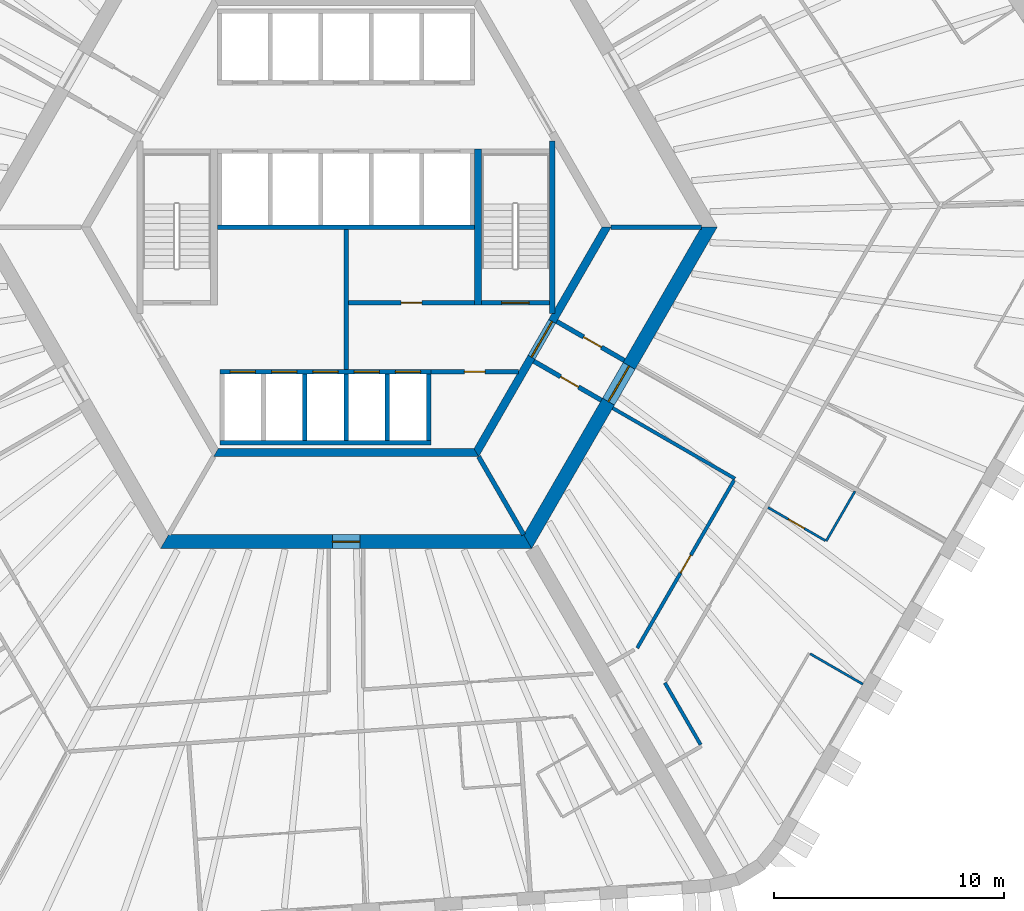
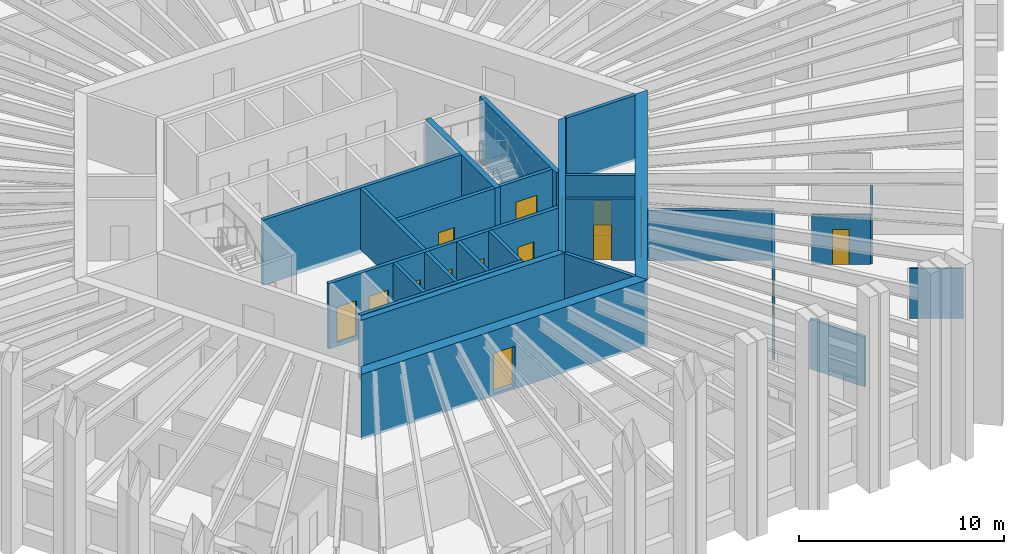
# One storey, part 5 of 13: 27 walls, 15 doors, 15 openings.
"""IFC4 building model written with IfcOpenShell, lengths in metres."""

from ifc_helpers import new_model, si_unit, direction, frame, frame_2d, origin, place, context, subcontext, project, spatial, polyline, rectangle, outline, extrude, material, layer, layer_set, type_object, element, fill, save


model = new_model("IFC4")

# Units and contexts
model_context = context("Model", 3, precision=1e-05, world=origin(), true_north=direction((0.0, 1.0)))
body_context = subcontext(model_context, "Body", "Model", "MODEL_VIEW")
ifc_project = project(units=[si_unit("LENGTHUNIT", "METRE"), si_unit("AREAUNIT", "SQUARE_METRE"), si_unit("VOLUMEUNIT", "CUBIC_METRE"), si_unit("PLANEANGLEUNIT", "RADIAN"), si_unit("MASSUNIT", "GRAM", prefix="KILO")], contexts=[model_context])

# Site, building, storey
site_placement = place(None, origin())
site = spatial("IfcSite", under=ifc_project, at=site_placement, CompositionType="ELEMENT")
building_placement = place(site_placement, origin())
building = spatial("IfcBuilding", under=site, at=building_placement, Name="Tarnside Tower", CompositionType="ELEMENT")
storey_placement = place(building_placement, frame((0.0, 0.0, 111.60009765625)))
storey = spatial("IfcBuildingStorey", under=building, at=storey_placement, Name="L25", CompositionType="ELEMENT", Elevation=111.60009765625)

# Wall
ifc_material_1 = material(Name="Gypsum board partition on steel studs", Category="steel")
ifc_layer_1 = layer(ifc_material_1, 0.10009765625)
ifc_layer_set_1 = layer_set([ifc_layer_1], Name="Bathroom wall 100")
wall_type_1 = type_object("IfcWallType", Name="Bathroom wall 100", PredefinedType="PARTITIONING", material=ifc_layer_set_1)
wall_1_placement = place(storey_placement, frame((22.16796875, -11.504150390625, 0.0), z_axis=(0.0, 0.0, 1.0), x_axis=(-0.50001992892, -0.866013897511, 0.0)))
element("IfcWall", 1, at=wall_1_placement, inside=storey, type_object=wall_type_1, Name="Bathroom wall 08125", PredefinedType="PARTITIONING", context=body_context, shape_type="SweptSolid", body=[
    extrude(rectangle(XDim=2.51025390625, YDim=0.10009765625, at=frame_2d((1.255126953125, 0.0))), origin(), (0.0, 0.0, 1.0), 2.98779296875),
])

# Wall, opening, door
wall_2_placement = place(storey_placement, frame((20.86962890625, -13.65283203125, 0.0), z_axis=(0.0, 0.0, 1.0), x_axis=(-0.866039941686, 0.499974818771, 0.0)))
wall_2 = element("IfcWall", 2, at=wall_2_placement, inside=storey, type_object=wall_type_1, Name="Bathroom wall 08126", PredefinedType="PARTITIONING", context=body_context, shape_type="SweptSolid", body=[
    extrude(rectangle(XDim=2.875244140625, YDim=0.10009765625, at=frame_2d((1.4375, 0.0))), origin(), (0.0, 0.0, 1.0), 2.98779296875),
])
opening_1_placement = place(wall_2_placement, frame((1.050048828125, 0.0, 0.0)))
opening_1 = element("IfcOpeningElement", 3, at=opening_1_placement, cuts=wall_2, Name="Opening D-B1", PredefinedType="OPENING", context=body_context, shape_type="SweptSolid", body=[
    extrude(rectangle(XDim=0.800048828125, YDim=2.10009765625, at=frame_2d((0.39990234375, 1.050048828125))), frame((0.0, 0.06005859375, 0.0), z_axis=(0.0, -1.0, 0.0), x_axis=(1.0, 0.0, 0.0)), (0.0, 0.0, 1.0), 0.1201171875),
])
ifc_material_2 = material(Name="Timber door leaf", Category="wood")
door_type_1 = type_object("IfcDoorType", Name="Bathroom door 800", OperationType="NOTDEFINED", PredefinedType="DOOR", material=ifc_material_2)
door_1_placement = place(opening_1_placement, origin())
door_1 = element("IfcDoor", 4, at=door_1_placement, inside=storey, type_object=door_type_1, Name="Bathroom door 08029", OperationType="SINGLE_SWING_RIGHT", OverallHeight=2.10009765625, OverallWidth=0.800048828125, PredefinedType="DOOR", context=body_context, shape_type="SweptSolid", body=[
    extrude(rectangle(XDim=0.800048828125, YDim=2.10009765625, at=frame_2d((0.39990234375, 1.050048828125))), frame((0.0, 0.02490234375, 0.0), z_axis=(0.0, -1.0, 0.0), x_axis=(1.0, 0.0, 0.0)), (0.0, 0.0, 1.0), 0.050048828125),
])
fill(opening_1, door_1)

# Wall
ifc_material_3 = material(Name="Concrete C50/60", Category="concrete")
ifc_layer_2 = layer(ifc_material_3, 0.35009765625)
ifc_layer_set_2 = layer_set([ifc_layer_2], Name="Core block wall 350 C50/60")
wall_type_2 = type_object("IfcWallType", Name="Core block wall 350 C50/60", PredefinedType="SHEAR", material=ifc_layer_set_2)
wall_3_placement = place(storey_placement, frame((-5.672607421875, -9.824951171875, -0.150146484375), z_axis=(0.0, 0.0, 1.0), x_axis=(1.0, 0.0, 0.0)))
element("IfcWall", 5, at=wall_3_placement, inside=storey, type_object=wall_type_2, Name="L25 core block wall face 4", PredefinedType="SHEAR", context=body_context, shape_type="SweptSolid", body=[
    extrude(outline(polyline([(-0.10107421875, -0.175048828125), (11.4462890625, -0.175048828125), (11.244140625, 0.175048828125), (0.10107421875, 0.175048828125), (-0.10107421875, -0.175048828125)])), origin(), (0.0, 0.0, 1.0), 3.900146484375),
])

# Wall, opening, door
wall_4_placement = place(storey_placement, frame((5.672607421875, -9.824951171875, -0.150146484375), z_axis=(0.0, 0.0, 1.0), x_axis=(0.499995046907, 0.866028263435, 0.0)))
wall_4 = element("IfcWall", 6, at=wall_4_placement, inside=storey, type_object=wall_type_2, Name="L25 core block wall face 5", PredefinedType="SHEAR", context=body_context, shape_type="SweptSolid", body=[
    extrude(outline(polyline([(-0.10107421875, -0.175048828125), (11.44580078125, -0.175048828125), (11.24365234375, 0.175048828125), (0.10107421875, 0.175048828125), (-0.10107421875, -0.175048828125)])), origin(), (0.0, 0.0, 1.0), 3.900146484375),
])
opening_2_placement = place(wall_4_placement, frame((4.80126953125, 0.0, 0.14990234375)))
opening_2 = element("IfcOpeningElement", 7, at=opening_2_placement, cuts=wall_4, Name="Opening CD-FFL", PredefinedType="OPENING", context=body_context, shape_type="SweptSolid", body=[
    extrude(rectangle(XDim=1.800048828125, YDim=2.39990234375, at=frame_2d((0.89990234375, 1.199951171875))), frame((0.0, 0.18505859375, 0.0), z_axis=(0.0, -1.0, 0.0), x_axis=(1.0, 0.0, 0.0)), (0.0, 0.0, 1.0), 0.3701171875),
])
ifc_material_4 = material(Name="Steel fire door", Category="steel")
door_type_2 = type_object("IfcDoorType", Name="Firefighting lobby double door FD60S 1800x2400", OperationType="NOTDEFINED", PredefinedType="DOOR", material=ifc_material_4)
door_2_placement = place(opening_2_placement, origin())
door_2 = element("IfcDoor", 8, at=door_2_placement, inside=storey, type_object=door_type_2, Name="L25 lobby block door P4", OperationType="DOUBLE_DOOR_SINGLE_SWING", OverallHeight=2.39990234375, OverallWidth=1.800048828125, PredefinedType="DOOR", context=body_context, shape_type="SweptSolid", body=[
    extrude(rectangle(XDim=1.800048828125, YDim=2.39990234375, at=frame_2d((0.89990234375, 1.199951171875))), frame((0.0, 0.02490234375, 0.0), z_axis=(0.0, -1.0, 0.0), x_axis=(1.0, 0.0, 0.0)), (0.0, 0.0, 1.0), 0.050048828125),
])
fill(opening_2, door_2)

ifc_material_5 = material(Name="Concrete C40/50", Category="concrete")
ifc_layer_3 = layer(ifc_material_5, 0.199951171875)
ifc_layer_set_3 = layer_set([ifc_layer_3], Name="Core room partition 200 C40/50")
wall_type_3 = type_object("IfcWallType", Name="Core room partition 200 C40/50", PredefinedType="PARTITIONING", material=ifc_layer_set_3)
wall_5_placement = place(storey_placement, frame((0.10009765625, -3.300048828125, 0.0), z_axis=(0.0, 0.0, 1.0), x_axis=(1.0, 0.0, 0.0)))
wall_5 = element("IfcWall", 9, at=wall_5_placement, inside=storey, type_object=wall_type_3, Name="L25 core partition R3S1", PredefinedType="PARTITIONING", context=body_context, shape_type="SweptSolid", body=[
    extrude(rectangle(XDim=5.5, YDim=0.199951171875, at=frame_2d((2.75, 0.0))), origin(), (0.0, 0.0, 1.0), 3.64990234375),
])
opening_3_placement = place(wall_5_placement, frame((2.300048828125, 0.0, 0.0)))
opening_3 = element("IfcOpeningElement", 10, at=opening_3_placement, cuts=wall_5, Name="Opening CD-room", PredefinedType="OPENING", context=body_context, shape_type="SweptSolid", body=[
    extrude(rectangle(XDim=0.89990234375, YDim=2.10009765625, at=frame_2d((0.449951171875, 1.050048828125))), frame((0.0, 0.10986328125, 0.0), z_axis=(0.0, -1.0, 0.0), x_axis=(1.0, 0.0, 0.0)), (0.0, 0.0, 1.0), 0.219970703125),
])
door_type_3 = type_object("IfcDoorType", Name="Room door FD60 900x2100", OperationType="NOTDEFINED", PredefinedType="DOOR", material=ifc_material_4)
door_3_placement = place(opening_3_placement, origin())
door_3 = element("IfcDoor", 11, at=door_3_placement, inside=storey, type_object=door_type_3, Name="L25 core room door SR1", OperationType="SINGLE_SWING_LEFT", OverallHeight=2.10009765625, OverallWidth=0.89990234375, PredefinedType="DOOR", context=body_context, shape_type="SweptSolid", body=[
    extrude(rectangle(XDim=0.89990234375, YDim=2.10009765625, at=frame_2d((0.449951171875, 1.050048828125))), frame((0.0, 0.02490234375, 0.0), z_axis=(0.0, -1.0, 0.0), x_axis=(1.0, 0.0, 0.0)), (0.0, 0.0, 1.0), 0.050048828125),
])
fill(opening_3, door_3)

# Wall
wall_6_placement = place(storey_placement, frame((0.0, -6.199951171875, 0.0), z_axis=(0.0, 0.0, 1.0), x_axis=(0.0, 1.0, 0.0)))
element("IfcWall", 12, at=wall_6_placement, inside=storey, type_object=wall_type_3, Name="L25 core partition X0", PredefinedType="PARTITIONING", context=body_context, shape_type="SweptSolid", body=[
    extrude(rectangle(XDim=6.099853515625, YDim=0.199951171875, at=frame_2d((3.0498046875, 0.0))), origin(), (0.0, 0.0, 1.0), 3.64990234375),
])

# Wall, opening, door
wall_7_placement = place(storey_placement, frame((3.699951171875, -6.300048828125, 0.0), z_axis=(0.0, 0.0, 1.0), x_axis=(1.0, 0.0, 0.0)))
wall_7 = element("IfcWall", 13, at=wall_7_placement, inside=storey, type_object=wall_type_3, Name="L25 core partition R4X", PredefinedType="PARTITIONING", context=body_context, shape_type="SweptSolid", body=[
    extrude(rectangle(XDim=3.8056640625, YDim=0.199951171875, at=frame_2d((1.90283203125, 0.0))), origin(), (0.0, 0.0, 1.0), 3.64990234375),
])
opening_4_placement = place(wall_7_placement, frame((1.452880859375, 0.0, 0.0)))
opening_4 = element("IfcOpeningElement", 14, at=opening_4_placement, cuts=wall_7, Name="Opening CD-room", PredefinedType="OPENING", context=body_context, shape_type="SweptSolid", body=[
    extrude(rectangle(XDim=0.89990234375, YDim=2.10009765625, at=frame_2d((0.449951171875, 1.050048828125))), frame((0.0, 0.10986328125, 0.0), z_axis=(0.0, -1.0, 0.0), x_axis=(1.0, 0.0, 0.0)), (0.0, 0.0, 1.0), 0.219970703125),
])
door_4_placement = place(opening_4_placement, origin())
door_4 = element("IfcDoor", 15, at=door_4_placement, inside=storey, type_object=door_type_3, Name="L25 core room door RX", OperationType="SINGLE_SWING_LEFT", OverallHeight=2.10009765625, OverallWidth=0.89990234375, PredefinedType="DOOR", context=body_context, shape_type="SweptSolid", body=[
    extrude(rectangle(XDim=0.89990234375, YDim=2.10009765625, at=frame_2d((0.449951171875, 1.050048828125))), frame((0.0, 0.02490234375, 0.0), z_axis=(0.0, -1.0, 0.0), x_axis=(1.0, 0.0, 0.0)), (0.0, 0.0, 1.0), 0.050048828125),
])
fill(opening_4, door_4)

wall_8_placement = place(storey_placement, frame((9.1748046875, -4.10888671875, 0.0), z_axis=(0.0, 0.0, 1.0), x_axis=(0.865989465428, -0.500062241894, 0.0)))
wall_8 = element("IfcWall", 16, at=wall_8_placement, inside=storey, type_object=wall_type_3, Name="L25 core partition AC4L", PredefinedType="PARTITIONING", context=body_context, shape_type="SweptSolid", body=[
    extrude(rectangle(XDim=3.39990234375, YDim=0.199951171875, at=frame_2d((1.699951171875, 0.0))), origin(), (0.0, 0.0, 1.0), 3.64990234375),
])
opening_5_placement = place(wall_8_placement, frame((1.3505859375, 0.0, 0.0)))
opening_5 = element("IfcOpeningElement", 17, at=opening_5_placement, cuts=wall_8, Name="Opening CD-room", PredefinedType="OPENING", context=body_context, shape_type="SweptSolid", body=[
    extrude(rectangle(XDim=0.89990234375, YDim=2.10009765625, at=frame_2d((0.449951171875, 1.050048828125))), frame((0.0, 0.10986328125, 0.0), z_axis=(0.0, -1.0, 0.0), x_axis=(1.0, 0.0, 0.0)), (0.0, 0.0, 1.0), 0.219970703125),
])
door_5_placement = place(opening_5_placement, origin())
door_5 = element("IfcDoor", 18, at=door_5_placement, inside=storey, type_object=door_type_3, Name="L25 core room door AX4L", OperationType="SINGLE_SWING_LEFT", OverallHeight=2.10009765625, OverallWidth=0.89990234375, PredefinedType="DOOR", context=body_context, shape_type="SweptSolid", body=[
    extrude(rectangle(XDim=0.89990234375, YDim=2.10009765625, at=frame_2d((0.449951171875, 1.050048828125))), frame((0.0, 0.02490234375, 0.0), z_axis=(0.0, -1.0, 0.0), x_axis=(1.0, 0.0, 0.0)), (0.0, 0.0, 1.0), 0.050048828125),
])
fill(opening_5, door_5)

wall_9_placement = place(storey_placement, frame((8.1748046875, -5.841064453125, 0.0), z_axis=(0.0, 0.0, 1.0), x_axis=(0.866020560687, -0.500008388397, 0.0)))
wall_9 = element("IfcWall", 19, at=wall_9_placement, inside=storey, type_object=wall_type_3, Name="L25 core partition AC4R", PredefinedType="PARTITIONING", context=body_context, shape_type="SweptSolid", body=[
    extrude(rectangle(XDim=3.39990234375, YDim=0.199951171875, at=frame_2d((1.699951171875, 0.0))), origin(), (0.0, 0.0, 1.0), 3.64990234375),
])
opening_6_placement = place(wall_9_placement, frame((1.349609375, 0.0, 0.0)))
opening_6 = element("IfcOpeningElement", 20, at=opening_6_placement, cuts=wall_9, Name="Opening CD-room", PredefinedType="OPENING", context=body_context, shape_type="SweptSolid", body=[
    extrude(rectangle(XDim=0.89990234375, YDim=2.10009765625, at=frame_2d((0.449951171875, 1.050048828125))), frame((0.0, 0.10986328125, 0.0), z_axis=(0.0, -1.0, 0.0), x_axis=(1.0, 0.0, 0.0)), (0.0, 0.0, 1.0), 0.219970703125),
])
door_6_placement = place(opening_6_placement, origin())
door_6 = element("IfcDoor", 21, at=door_6_placement, inside=storey, type_object=door_type_3, Name="L25 core room door AX4R", OperationType="SINGLE_SWING_LEFT", OverallHeight=2.10009765625, OverallWidth=0.89990234375, PredefinedType="DOOR", context=body_context, shape_type="SweptSolid", body=[
    extrude(rectangle(XDim=0.89990234375, YDim=2.10009765625, at=frame_2d((0.449951171875, 1.050048828125))), frame((0.0, 0.02490234375, 0.0), z_axis=(0.0, -1.0, 0.0), x_axis=(1.0, 0.0, 0.0)), (0.0, 0.0, 1.0), 0.050048828125),
])
fill(opening_6, door_6)

ifc_material_6 = material(Name="Concrete C80/95", Category="concrete")
ifc_layer_4 = layer(ifc_material_6, 0.60009765625)
ifc_layer_set_4 = layer_set([ifc_layer_4], Name="Core wall Z1 600 C80/95")
wall_type_4 = type_object("IfcWallType", Name="Core wall Z1 600 C80/95", PredefinedType="SHEAR", material=ifc_layer_set_4)
wall_10_placement = place(storey_placement, frame((-7.90966796875, -13.699951171875, -0.150146484375), z_axis=(0.0, 0.0, 1.0), x_axis=(1.0, 0.0, 0.0)))
wall_10 = element("IfcWall", 22, at=wall_10_placement, inside=storey, type_object=wall_type_4, Name="L25 core wall face 4", PredefinedType="SHEAR", context=body_context, shape_type="SweptSolid", body=[
    extrude(outline(polyline([(-0.17333984375, -0.300048828125), (15.99267578125, -0.300048828125), (15.64599609375, 0.300048828125), (0.17333984375, 0.300048828125), (-0.17333984375, -0.300048828125)])), origin(), (0.0, 0.0, 1.0), 3.900146484375),
])
opening_7_placement = place(wall_10_placement, frame((7.309814453125, 0.0, 0.14990234375)))
opening_7 = element("IfcOpeningElement", 23, at=opening_7_placement, cuts=wall_10, Name="Opening CD-RSR", PredefinedType="OPENING", context=body_context, shape_type="SweptSolid", body=[
    extrude(rectangle(XDim=1.199951171875, YDim=2.39990234375, at=frame_2d((0.60009765625, 1.199951171875))), frame((0.0, 0.31005859375, 0.0), z_axis=(0.0, -1.0, 0.0), x_axis=(1.0, 0.0, 0.0)), (0.0, 0.0, 1.0), 0.6201171875),
])
door_type_4 = type_object("IfcDoorType", Name="Riser door FD60 1200x2400", OperationType="NOTDEFINED", PredefinedType="DOOR", material=ifc_material_4)
door_7_placement = place(opening_7_placement, origin())
door_7 = element("IfcDoor", 24, at=door_7_placement, inside=storey, type_object=door_type_4, Name="L25 core door S6", OperationType="SINGLE_SWING_LEFT", OverallHeight=2.39990234375, OverallWidth=1.199951171875, PredefinedType="DOOR", context=body_context, shape_type="SweptSolid", body=[
    extrude(rectangle(XDim=1.199951171875, YDim=2.39990234375, at=frame_2d((0.60009765625, 1.199951171875))), frame((0.0, 0.02490234375, 0.0), z_axis=(0.0, -1.0, 0.0), x_axis=(1.0, 0.0, 0.0)), (0.0, 0.0, 1.0), 0.050048828125),
])
fill(opening_7, door_7)

wall_11_placement = place(storey_placement, frame((7.90966796875, -13.699951171875, -0.150146484375), z_axis=(0.0, 0.0, 1.0), x_axis=(0.499999880136, 0.866025472988, 0.0)))
wall_11 = element("IfcWall", 25, at=wall_11_placement, inside=storey, type_object=wall_type_4, Name="L25 core wall face 5", PredefinedType="SHEAR", context=body_context, shape_type="SweptSolid", body=[
    extrude(outline(polyline([(-0.17333984375, -0.300048828125), (15.99267578125, -0.300048828125), (15.64599609375, 0.300048828125), (0.17333984375, 0.300048828125), (-0.17333984375, -0.300048828125)])), origin(), (0.0, 0.0, 1.0), 3.900146484375),
])
opening_8_placement = place(wall_11_placement, frame((7.03857421875, 0.0, 0.14990234375)))
opening_8 = element("IfcOpeningElement", 26, at=opening_8_placement, cuts=wall_11, Name="Opening CD-FFL", PredefinedType="OPENING", context=body_context, shape_type="SweptSolid", body=[
    extrude(rectangle(XDim=1.800048828125, YDim=2.39990234375, at=frame_2d((0.89990234375, 1.199951171875))), frame((0.0, 0.31005859375, 0.0), z_axis=(0.0, -1.0, 0.0), x_axis=(1.0, 0.0, 0.0)), (0.0, 0.0, 1.0), 0.6201171875),
])
door_8_placement = place(opening_8_placement, origin())
door_8 = element("IfcDoor", 27, at=door_8_placement, inside=storey, type_object=door_type_2, Name="L25 core door P4", OperationType="DOUBLE_DOOR_SINGLE_SWING", OverallHeight=2.39990234375, OverallWidth=1.800048828125, PredefinedType="DOOR", context=body_context, shape_type="SweptSolid", body=[
    extrude(rectangle(XDim=1.800048828125, YDim=2.39990234375, at=frame_2d((0.89990234375, 1.199951171875))), frame((0.0, 0.02490234375, 0.0), z_axis=(0.0, -1.0, 0.0), x_axis=(1.0, 0.0, 0.0)), (0.0, 0.0, 1.0), 0.050048828125),
])
fill(opening_8, door_8)

# Walls
ifc_layer_5 = layer(ifc_material_1, 0.14990234375)
ifc_layer_set_5 = layer_set([ifc_layer_5], Name="Corridor wall 150 EI 60")
wall_type_5 = type_object("IfcWallType", Name="Corridor wall 150 EI 60", PredefinedType="PARTITIONING", material=ifc_layer_set_5)
wall_12_placement = place(storey_placement, frame((15.44140625, -22.545166015625, 0.0), z_axis=(0.0, 0.0, 1.0), x_axis=(-0.500037089193, 0.86600398927, 0.0)))
element("IfcWall", 28, at=wall_12_placement, inside=storey, type_object=wall_type_5, Name="Corridor wall 08051", PredefinedType="PARTITIONING", context=body_context, shape_type="SweptSolid", body=[
    extrude(rectangle(XDim=3.112060546875, YDim=0.14990234375, at=frame_2d((1.55615234375, 0.0))), origin(), (0.0, 0.0, 1.0), 2.98779296875),
])
wall_13_placement = place(storey_placement, frame((11.61376953125, -7.88427734375, 0.0), z_axis=(0.0, 0.0, 1.0), x_axis=(0.866033542371, -0.499985903289, 0.0)))
element("IfcWall", 29, at=wall_13_placement, inside=storey, type_object=wall_type_5, Name="Corridor wall 08066", PredefinedType="PARTITIONING", context=body_context, shape_type="SweptSolid", body=[
    extrude(rectangle(XDim=6.150146484375, YDim=0.14990234375, at=frame_2d((3.0751953125, 0.0))), origin(), (0.0, 0.0, 1.0), 2.98779296875),
])

# Wall, opening, door
wall_14_placement = place(storey_placement, frame((16.90234375, -11.024169921875, 0.0), z_axis=(0.0, 0.0, 1.0), x_axis=(-0.499999527968, -0.866025676312, 0.0)))
wall_14 = element("IfcWall", 30, at=wall_14_placement, inside=storey, type_object=wall_type_5, Name="Corridor wall 08067", PredefinedType="PARTITIONING", context=body_context, shape_type="SweptSolid", body=[
    extrude(rectangle(XDim=8.44091796875, YDim=0.14990234375, at=frame_2d((4.220458984375, 0.0))), origin(), (0.0, 0.0, 1.0), 2.98779296875),
])
opening_9_placement = place(wall_14_placement, frame((3.7705078125, 0.0, 0.0)))
opening_9 = element("IfcOpeningElement", 31, at=opening_9_placement, cuts=wall_14, Name="Opening D-S1", PredefinedType="OPENING", context=body_context, shape_type="SweptSolid", body=[
    extrude(rectangle(XDim=0.89990234375, YDim=2.10009765625, at=frame_2d((0.449951171875, 1.050048828125))), frame((0.0, 0.0849609375, 0.0), z_axis=(0.0, -1.0, 0.0), x_axis=(1.0, 0.0, 0.0)), (0.0, 0.0, 1.0), 0.169921875),
])
door_type_5 = type_object("IfcDoorType", Name="Service room door 900 FD30S", OperationType="NOTDEFINED", PredefinedType="DOOR", material=ifc_material_2)
door_9_placement = place(opening_9_placement, origin())
door_9 = element("IfcDoor", 32, at=door_9_placement, inside=storey, type_object=door_type_5, Name="Service door 08047", OperationType="SINGLE_SWING_RIGHT", OverallHeight=2.10009765625, OverallWidth=0.89990234375, PredefinedType="DOOR", context=body_context, shape_type="SweptSolid", body=[
    extrude(rectangle(XDim=0.89990234375, YDim=2.10009765625, at=frame_2d((0.449951171875, 1.050048828125))), frame((0.0, 0.02490234375, 0.0), z_axis=(0.0, -1.0, 0.0), x_axis=(1.0, 0.0, 0.0)), (0.0, 0.0, 1.0), 0.050048828125),
])
fill(opening_9, door_9)

# Wall
ifc_layer_6 = layer(ifc_material_5, 0.199951171875)
ifc_layer_set_6 = layer_set([ifc_layer_6], Name="Lift shaft wall 200 C40/50")
wall_type_6 = type_object("IfcWallType", Name="Lift shaft wall 200 C40/50", PredefinedType="SHEAR", material=ifc_layer_set_6)
wall_15_placement = place(storey_placement, frame((-5.60009765625, 0.0, -0.25), z_axis=(0.0, 0.0, 1.0), x_axis=(1.0, 0.0, 0.0)))
element("IfcWall", 33, at=wall_15_placement, inside=storey, type_object=wall_type_6, Name="L25 lift shaft back wall R2", PredefinedType="SHEAR", context=body_context, shape_type="SweptSolid", body=[
    extrude(rectangle(XDim=11.2001953125, YDim=0.199951171875, at=frame_2d((5.60009765625, 0.0))), origin(), (0.0, 0.0, 1.0), 3.89990234375),
])

# Wall, openings, doors
wall_16_placement = place(storey_placement, frame((-5.5, -6.300048828125, -0.25), z_axis=(0.0, 0.0, 1.0), x_axis=(1.0, 0.0, 0.0)))
wall_16 = element("IfcWall", 34, at=wall_16_placement, inside=storey, type_object=wall_type_6, Name="L25 lift shaft front wall R4", PredefinedType="SHEAR", context=body_context, shape_type="SweptSolid", body=[
    extrude(rectangle(XDim=9.199951171875, YDim=0.199951171875, at=frame_2d((4.60009765625, 0.0))), origin(), (0.0, 0.0, 1.0), 3.89990234375),
])
opening_10_placement = place(wall_16_placement, frame((0.449951171875, 0.0, 0.25)))
opening_10 = element("IfcOpeningElement", 35, at=opening_10_placement, cuts=wall_16, Name="Opening LDF", PredefinedType="OPENING", context=body_context, shape_type="SweptSolid", body=[
    extrude(rectangle(XDim=1.10009765625, YDim=2.10009765625, at=frame_2d((0.550048828125, 1.050048828125))), frame((0.0, 0.10986328125, 0.0), z_axis=(0.0, -1.0, 0.0), x_axis=(1.0, 0.0, 0.0)), (0.0, 0.0, 1.0), 0.219970703125),
])
opening_11_placement = place(wall_16_placement, frame((2.25, 0.0, 0.25)))
opening_11 = element("IfcOpeningElement", 36, at=opening_11_placement, cuts=wall_16, Name="Opening LDF", PredefinedType="OPENING", context=body_context, shape_type="SweptSolid", body=[
    extrude(rectangle(XDim=1.10009765625, YDim=2.10009765625, at=frame_2d((0.550048828125, 1.050048828125))), frame((0.0, 0.10986328125, 0.0), z_axis=(0.0, -1.0, 0.0), x_axis=(1.0, 0.0, 0.0)), (0.0, 0.0, 1.0), 0.219970703125),
])
opening_12_placement = place(wall_16_placement, frame((4.050048828125, 0.0, 0.25)))
opening_12 = element("IfcOpeningElement", 37, at=opening_12_placement, cuts=wall_16, Name="Opening LDF", PredefinedType="OPENING", context=body_context, shape_type="SweptSolid", body=[
    extrude(rectangle(XDim=1.10009765625, YDim=2.10009765625, at=frame_2d((0.550048828125, 1.050048828125))), frame((0.0, 0.10986328125, 0.0), z_axis=(0.0, -1.0, 0.0), x_axis=(1.0, 0.0, 0.0)), (0.0, 0.0, 1.0), 0.219970703125),
])
opening_13_placement = place(wall_16_placement, frame((5.85009765625, 0.0, 0.25)))
opening_13 = element("IfcOpeningElement", 38, at=opening_13_placement, cuts=wall_16, Name="Opening LDF", PredefinedType="OPENING", context=body_context, shape_type="SweptSolid", body=[
    extrude(rectangle(XDim=1.10009765625, YDim=2.10009765625, at=frame_2d((0.550048828125, 1.050048828125))), frame((0.0, 0.10986328125, 0.0), z_axis=(0.0, -1.0, 0.0), x_axis=(1.0, 0.0, 0.0)), (0.0, 0.0, 1.0), 0.219970703125),
])
opening_14_placement = place(wall_16_placement, frame((7.64990234375, 0.0, 0.25)))
opening_14 = element("IfcOpeningElement", 39, at=opening_14_placement, cuts=wall_16, Name="Opening LDF", PredefinedType="OPENING", context=body_context, shape_type="SweptSolid", body=[
    extrude(rectangle(XDim=1.10009765625, YDim=2.10009765625, at=frame_2d((0.550048828125, 1.050048828125))), frame((0.0, 0.10986328125, 0.0), z_axis=(0.0, -1.0, 0.0), x_axis=(1.0, 0.0, 0.0)), (0.0, 0.0, 1.0), 0.219970703125),
])
ifc_material_7 = material(Name="Stainless steel", Category="steel")
door_type_6 = type_object("IfcDoorType", Name="Lift landing door 1100x2100 EI 120", OperationType="NOTDEFINED", PredefinedType="DOOR", material=ifc_material_7)
door_10_placement = place(opening_10_placement, origin())
door_10 = element("IfcDoor", 40, at=door_10_placement, inside=storey, type_object=door_type_6, Name="Firefighting lift 1 landing door L25", OperationType="SLIDING_TO_LEFT", OverallHeight=2.10009765625, OverallWidth=1.10009765625, PredefinedType="DOOR", context=body_context, shape_type="SweptSolid", body=[
    extrude(rectangle(XDim=1.10009765625, YDim=2.10009765625, at=frame_2d((0.550048828125, 1.050048828125))), frame((0.0, 0.02490234375, 0.0), z_axis=(0.0, -1.0, 0.0), x_axis=(1.0, 0.0, 0.0)), (0.0, 0.0, 1.0), 0.050048828125),
])
fill(opening_10, door_10)
door_11_placement = place(opening_11_placement, origin())
door_11 = element("IfcDoor", 41, at=door_11_placement, inside=storey, type_object=door_type_6, Name="Firefighting lift 2 landing door L25", OperationType="SLIDING_TO_LEFT", OverallHeight=2.10009765625, OverallWidth=1.10009765625, PredefinedType="DOOR", context=body_context, shape_type="SweptSolid", body=[
    extrude(rectangle(XDim=1.10009765625, YDim=2.10009765625, at=frame_2d((0.550048828125, 1.050048828125))), frame((0.0, 0.02490234375, 0.0), z_axis=(0.0, -1.0, 0.0), x_axis=(1.0, 0.0, 0.0)), (0.0, 0.0, 1.0), 0.050048828125),
])
fill(opening_11, door_11)
door_12_placement = place(opening_12_placement, origin())
door_12 = element("IfcDoor", 42, at=door_12_placement, inside=storey, type_object=door_type_6, Name="Firefighting lift 3 landing door L25", OperationType="SLIDING_TO_LEFT", OverallHeight=2.10009765625, OverallWidth=1.10009765625, PredefinedType="DOOR", context=body_context, shape_type="SweptSolid", body=[
    extrude(rectangle(XDim=1.10009765625, YDim=2.10009765625, at=frame_2d((0.550048828125, 1.050048828125))), frame((0.0, 0.02490234375, 0.0), z_axis=(0.0, -1.0, 0.0), x_axis=(1.0, 0.0, 0.0)), (0.0, 0.0, 1.0), 0.050048828125),
])
fill(opening_12, door_12)
door_13_placement = place(opening_13_placement, origin())
door_13 = element("IfcDoor", 43, at=door_13_placement, inside=storey, type_object=door_type_6, Name="Firefighting lift 4 landing door L25", OperationType="SLIDING_TO_LEFT", OverallHeight=2.10009765625, OverallWidth=1.10009765625, PredefinedType="DOOR", context=body_context, shape_type="SweptSolid", body=[
    extrude(rectangle(XDim=1.10009765625, YDim=2.10009765625, at=frame_2d((0.550048828125, 1.050048828125))), frame((0.0, 0.02490234375, 0.0), z_axis=(0.0, -1.0, 0.0), x_axis=(1.0, 0.0, 0.0)), (0.0, 0.0, 1.0), 0.050048828125),
])
fill(opening_13, door_13)
door_14_placement = place(opening_14_placement, origin())
door_14 = element("IfcDoor", 44, at=door_14_placement, inside=storey, type_object=door_type_6, Name="Firefighting lift 5 landing door L25", OperationType="SLIDING_TO_LEFT", OverallHeight=2.10009765625, OverallWidth=1.10009765625, PredefinedType="DOOR", context=body_context, shape_type="SweptSolid", body=[
    extrude(rectangle(XDim=1.10009765625, YDim=2.10009765625, at=frame_2d((0.550048828125, 1.050048828125))), frame((0.0, 0.02490234375, 0.0), z_axis=(0.0, -1.0, 0.0), x_axis=(1.0, 0.0, 0.0)), (0.0, 0.0, 1.0), 0.050048828125),
])
fill(opening_14, door_14)

# Walls
wall_17_placement = place(storey_placement, frame((-5.5, -9.39990234375, -0.25), z_axis=(0.0, 0.0, 1.0), x_axis=(1.0, 0.0, 0.0)))
element("IfcWall", 45, at=wall_17_placement, inside=storey, type_object=wall_type_6, Name="L25 lift shaft back wall R4", PredefinedType="SHEAR", context=body_context, shape_type="SweptSolid", body=[
    extrude(rectangle(XDim=9.199951171875, YDim=0.199951171875, at=frame_2d((4.60009765625, 0.0))), origin(), (0.0, 0.0, 1.0), 3.89990234375),
])
for number, where, z_axis, x_axis, name in (
    (46, (-1.800048828125, -9.300048828125, -0.25), (0.0, 0.0, 1.0), (0.0, 1.0, 0.0), "L25 lift shaft partition R43"),
    (47, (0.0, -9.300048828125, -0.25), (0.0, 0.0, 1.0), (0.0, 1.0, 0.0), "L25 lift shaft partition R44"),
    (48, (1.800048828125, -9.300048828125, -0.25), (0.0, 0.0, 1.0), (0.0, 1.0, 0.0), "L25 lift shaft partition R45"),
    (49, (3.60009765625, -9.300048828125, -0.25), (0.0, 0.0, 1.0), (0.0, 1.0, 0.0), "L25 lift shaft partition R46"),
):
    element("IfcWall", number, at=place(storey_placement, frame(where, z_axis=z_axis, x_axis=x_axis)), inside=storey, type_object=wall_type_6, Name=name, PredefinedType="SHEAR", context=body_context, shape_type="SweptSolid", body=[
        extrude(rectangle(XDim=2.900146484375, YDim=0.199951171875, at=frame_2d((1.4501953125, 0.0))), origin(), (0.0, 0.0, 1.0), 3.89990234375),
    ])
wall_18_placement = place(storey_placement, frame((11.547119140625, 0.0, -0.150146484375), z_axis=(0.0, 0.0, 1.0), x_axis=(1.0, 0.0, 0.0)))
element("IfcWall", 50, at=wall_18_placement, inside=storey, type_object=wall_type_6, Name="L25 core partition AR0", PredefinedType="SHEAR", context=body_context, shape_type="SweptSolid", body=[
    extrude(rectangle(XDim=3.92578125, YDim=0.199951171875, at=frame_2d((1.962890625, 0.0))), origin(), (0.0, 0.0, 1.0), 3.900146484375),
])
wall_19_placement = place(storey_placement, frame((5.7734375, -10.0, -0.150146484375), z_axis=(0.0, 0.0, 1.0), x_axis=(0.500038251005, -0.86600331843, 0.0)))
element("IfcWall", 51, at=wall_19_placement, inside=storey, type_object=wall_type_6, Name="L25 core partition AR300", PredefinedType="SHEAR", context=body_context, shape_type="SweptSolid", body=[
    extrude(rectangle(XDim=3.926025390625, YDim=0.199951171875, at=frame_2d((1.962890625, 0.0))), origin(), (0.0, 0.0, 1.0), 3.900146484375),
])

# Wall, opening, door
wall_20_placement = place(storey_placement, frame((5.89990234375, -3.300048828125, -0.25), z_axis=(0.0, 0.0, 1.0), x_axis=(1.0, 0.0, 0.0)))
wall_20 = element("IfcWall", 52, at=wall_20_placement, inside=storey, type_object=wall_type_6, Name="L25 stair 1 enclosure cap wall s", PredefinedType="SHEAR", context=body_context, shape_type="SweptSolid", body=[
    extrude(rectangle(XDim=2.9501953125, YDim=0.199951171875, at=frame_2d((1.47509765625, 0.0))), origin(), (0.0, 0.0, 1.0), 3.89990234375),
])
opening_15_placement = place(wall_20_placement, frame((0.875, 0.0, 0.25)))
opening_15 = element("IfcOpeningElement", 53, at=opening_15_placement, cuts=wall_20, Name="Opening CD-STR", PredefinedType="OPENING", context=body_context, shape_type="SweptSolid", body=[
    extrude(rectangle(XDim=1.199951171875, YDim=2.39990234375, at=frame_2d((0.60009765625, 1.199951171875))), frame((0.0, 0.10986328125, 0.0), z_axis=(0.0, -1.0, 0.0), x_axis=(1.0, 0.0, 0.0)), (0.0, 0.0, 1.0), 0.219970703125),
])
door_type_7 = type_object("IfcDoorType", Name="Stair door FD60S 1200x2400", OperationType="NOTDEFINED", PredefinedType="DOOR", material=ifc_material_4)
door_15_placement = place(opening_15_placement, origin())
door_15 = element("IfcDoor", 54, at=door_15_placement, inside=storey, type_object=door_type_7, Name="L25 stair 1 door", OperationType="SINGLE_SWING_LEFT", OverallHeight=2.39990234375, OverallWidth=1.199951171875, PredefinedType="DOOR", context=body_context, shape_type="SweptSolid", body=[
    extrude(rectangle(XDim=1.199951171875, YDim=2.39990234375, at=frame_2d((0.60009765625, 1.199951171875))), frame((0.0, 0.02490234375, 0.0), z_axis=(0.0, -1.0, 0.0), x_axis=(1.0, 0.0, 0.0)), (0.0, 0.0, 1.0), 0.050048828125),
])
fill(opening_15, door_15)

# Walls
ifc_layer_7 = layer(ifc_material_1, 0.10009765625)
ifc_layer_set_7 = layer_set([ifc_layer_7], Name="Partition 100")
wall_type_7 = type_object("IfcWallType", Name="Partition 100", PredefinedType="PARTITIONING", material=ifc_layer_set_7)
wall_21_placement = place(storey_placement, frame((20.215087890625, -18.586669921875, 0.0), z_axis=(0.0, 0.0, 1.0), x_axis=(0.866029095148, -0.499993606316, 0.0)))
element("IfcWall", 55, at=wall_21_placement, inside=storey, type_object=wall_type_7, Name="Partition wall 08128", PredefinedType="PARTITIONING", context=body_context, shape_type="SweptSolid", body=[
    extrude(rectangle(XDim=2.64990234375, YDim=0.10009765625, at=frame_2d((1.324951171875, 0.0))), origin(), (0.0, 0.0, 1.0), 2.98779296875),
])
ifc_layer_8 = layer(ifc_material_5, 0.25)
ifc_layer_set_8 = layer_set([ifc_layer_8], Name="Stair enclosure wall 250 C40/50")
wall_type_8 = type_object("IfcWallType", Name="Stair enclosure wall 250 C40/50", PredefinedType="SHEAR", material=ifc_layer_set_8)
wall_22_placement = place(storey_placement, frame((8.97509765625, -3.7548828125, -0.25), z_axis=(0.0, 0.0, 1.0), x_axis=(0.0, 1.0, 0.0)))
element("IfcWall", 56, at=wall_22_placement, inside=storey, type_object=wall_type_8, Name="L25 stair 1 enclosure wall outer", PredefinedType="SHEAR", context=body_context, shape_type="SweptSolid", body=[
    extrude(rectangle(XDim=7.509765625, YDim=0.25, at=frame_2d((3.7548828125, 0.0))), origin(), (0.0, 0.0, 1.0), 3.89990234375),
])
ifc_layer_9 = layer(ifc_material_5, 0.300048828125)
ifc_layer_set_9 = layer_set([ifc_layer_9], Name="Stair enclosure wall 300 C40/50")
wall_type_9 = type_object("IfcWallType", Name="Stair enclosure wall 300 C40/50", PredefinedType="SHEAR", material=ifc_layer_set_9)
wall_23_placement = place(storey_placement, frame((5.75, -3.39990234375, -0.25), z_axis=(0.0, 0.0, 1.0), x_axis=(0.0, 1.0, 0.0)))
element("IfcWall", 57, at=wall_23_placement, inside=storey, type_object=wall_type_9, Name="L25 stair 1 enclosure wall inner", PredefinedType="SHEAR", context=body_context, shape_type="SweptSolid", body=[
    extrude(rectangle(XDim=6.7998046875, YDim=0.300048828125, at=frame_2d((3.39990234375, 0.0))), origin(), (0.0, 0.0, 1.0), 3.89990234375),
])

save(model, "model.ifc")
